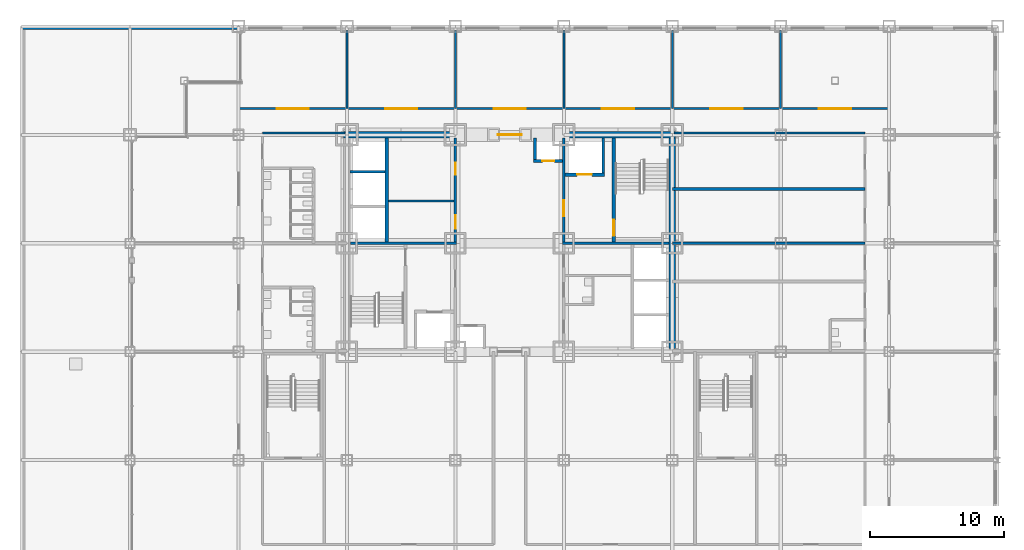
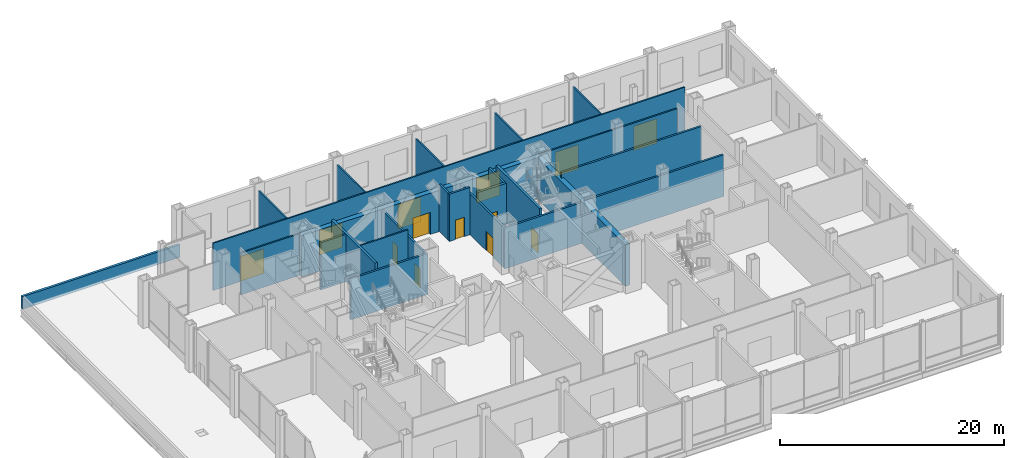
# One storey, part 21 of 26: 25 walls, 13 doors, 13 openings.
"""IFC4 building model written with IfcOpenShell, lengths in metres."""

from ifc_helpers import new_model, si_unit, direction, frame, frame_2d, origin, place, context, subcontext, project, spatial, rectangle, extrude, material, layer, layer_set, type_object, element, fill, save


model = new_model("IFC4")

# Units and contexts
model_context = context("Model", 3, precision=1e-05, world=origin(), true_north=direction((0.0, 1.0)))
body_context = subcontext(model_context, "Body", "Model", "MODEL_VIEW")
ifc_project = project(units=[si_unit("LENGTHUNIT", "METRE"), si_unit("AREAUNIT", "SQUARE_METRE"), si_unit("VOLUMEUNIT", "CUBIC_METRE"), si_unit("PLANEANGLEUNIT", "RADIAN"), si_unit("MASSUNIT", "GRAM", prefix="KILO")], contexts=[model_context])

# Site, building, storey
site_placement = place(None, origin())
site = spatial("IfcSite", under=ifc_project, at=site_placement, CompositionType="ELEMENT")
building_placement = place(site_placement, origin())
building = spatial("IfcBuilding", under=site, at=building_placement, Name="Kopane Lantern Tower", CompositionType="ELEMENT")
storey_placement = place(building_placement, frame((0.0, 0.0, 16.800048828125)))
storey = spatial("IfcBuildingStorey", under=building, at=storey_placement, Name="L03", CompositionType="ELEMENT", Elevation=16.800048828125)

# Wall, opening, door
ifc_material_1 = material(Name="Gypsum shaft wall EI 120", Category="gypsum")
ifc_layer_1 = layer(ifc_material_1, 0.5)
ifc_layer_set_1 = layer_set([ifc_layer_1], Name="CORE PERIMETER WALL 500 EI 120")
wall_type_1 = type_object("IfcWallType", Name="CORE PERIMETER WALL 500 EI 120", PredefinedType="SOLIDWALL", material=ifc_layer_set_1)
wall_1_placement = place(storey_placement, frame((15.949951171875, 40.5, 0.0), z_axis=(0.0, 0.0, 1.0), x_axis=(1.0, 0.0, 0.0)))
wall_1 = element("IfcWall", 1, at=wall_1_placement, inside=storey, type_object=wall_type_1, Name="Core shaft wall L03 PN", PredefinedType="SOLIDWALL", context=body_context, shape_type="SweptSolid", body=[
    extrude(rectangle(XDim=24.800048828125, YDim=0.5, at=frame_2d((12.39990234375, 0.0))), origin(), (0.0, 0.0, 1.0), 4.5),
])
opening_1_placement = place(wall_1_placement, frame((11.5, 0.0, 0.0)))
opening_1 = element("IfcOpeningElement", 2, at=opening_1_placement, cuts=wall_1, Name="Opening 03.CE-N", PredefinedType="OPENING", context=body_context, shape_type="SweptSolid", body=[
    extrude(rectangle(XDim=1.800048828125, YDim=2.39990234375, at=frame_2d((0.89990234375, 1.199951171875))), frame((0.0, 0.260009765625, 0.0), z_axis=(0.0, -1.0, 0.0), x_axis=(1.0, 0.0, 0.0)), (0.0, 0.0, 1.0), 0.52001953125),
])
ifc_material_2 = material(Name="Steel door set", Category="steel")
door_type_1 = type_object("IfcDoorType", Name="CORE ENTRY DOOR 1800x2400 FD60S", OperationType="DOUBLE_DOOR_SINGLE_SWING", PredefinedType="DOOR", material=ifc_material_2)
door_1_placement = place(opening_1_placement, origin())
door_1 = element("IfcDoor", 3, at=door_1_placement, inside=storey, type_object=door_type_1, Name="Core entry door L03 north", OperationType="DOUBLE_DOOR_SINGLE_SWING", OverallHeight=2.39990234375, OverallWidth=1.800048828125, PredefinedType="DOOR", context=body_context, shape_type="SweptSolid", body=[
    extrude(rectangle(XDim=1.800048828125, YDim=2.39990234375, at=frame_2d((0.89990234375, 1.199951171875))), frame((0.0, 0.02490234375, 0.0), z_axis=(0.0, -1.0, 0.0), x_axis=(1.0, 0.0, 0.0)), (0.0, 0.0, 1.0), 0.050048828125),
])
fill(opening_1, door_1)

# Walls
wall_2_placement = place(storey_placement, frame((40.5, 24.550048828125, 0.0), z_axis=(0.0, 0.0, 1.0), x_axis=(0.0, 1.0, 0.0)))
element("IfcWall", 4, at=wall_2_placement, inside=storey, type_object=wall_type_1, Name="Core shaft wall L03 PE", PredefinedType="SOLIDWALL", context=body_context, shape_type="SweptSolid", body=[
    extrude(rectangle(XDim=15.699951171875, YDim=0.5, at=frame_2d((7.85009765625, 0.0))), origin(), (0.0, 0.0, 1.0), 4.537841796875),
])
ifc_material_3 = material(Name="Gypsum partition EI 60", Category="gypsum")
ifc_layer_2 = layer(ifc_material_3, 0.14990234375)
ifc_layer_set_2 = layer_set([ifc_layer_2], Name="CORE ROOM PARTITION 150 EI 60")
wall_type_2 = type_object("IfcWallType", Name="CORE ROOM PARTITION 150 EI 60", PredefinedType="PARTITIONING", material=ifc_layer_set_2)
wall_3_placement = place(storey_placement, frame((19.300048828125, 35.574951171875, 0.0), z_axis=(0.0, 0.0, 1.0), x_axis=(1.0, 0.0, 0.0)))
element("IfcWall", 5, at=wall_3_placement, inside=storey, type_object=wall_type_2, Name="Core room partition L03 WL1", PredefinedType="PARTITIONING", context=body_context, shape_type="SweptSolid", body=[
    extrude(rectangle(XDim=4.89990234375, YDim=0.14990234375, at=frame_2d((2.449951171875, 0.0))), origin(), (0.0, 0.0, 1.0), 5.14990234375),
])

# Wall, openings, doors
ifc_material_4 = material(Name="Gypsum partition EI 60", Category="gypsum")
ifc_layer_3 = layer(ifc_material_4, 0.199951171875)
ifc_layer_set_3 = layer_set([ifc_layer_3], Name="CORE ROOM WALL 200 EI 60")
wall_type_3 = type_object("IfcWallType", Name="CORE ROOM WALL 200 EI 60", PredefinedType="PARTITIONING", material=ifc_layer_set_3)
wall_4_placement = place(storey_placement, frame((24.300048828125, 32.5, 0.0), z_axis=(0.0, 0.0, 1.0), x_axis=(0.0, 1.0, 0.0)))
wall_4 = element("IfcWall", 6, at=wall_4_placement, inside=storey, type_object=wall_type_3, Name="Core room wall L03 XW", PredefinedType="PARTITIONING", context=body_context, shape_type="SweptSolid", body=[
    extrude(rectangle(XDim=7.75, YDim=0.199951171875, at=frame_2d((3.875, 0.0))), origin(), (0.0, 0.0, 1.0), 4.449951171875),
])
opening_2_placement = place(wall_4_placement, frame((1.0, 0.0, 0.0)))
opening_2 = element("IfcOpeningElement", 7, at=opening_2_placement, cuts=wall_4, Name="Opening 03.C30", PredefinedType="OPENING", context=body_context, shape_type="SweptSolid", body=[
    extrude(rectangle(XDim=1.0, YDim=2.10009765625, at=frame_2d((0.5, 1.050048828125))), frame((0.0, 0.10986328125, 0.0), z_axis=(0.0, -1.0, 0.0), x_axis=(1.0, 0.0, 0.0)), (0.0, 0.0, 1.0), 0.219970703125),
])
opening_3_placement = place(wall_4_placement, frame((5.0, 0.0, 0.0)))
opening_3 = element("IfcOpeningElement", 8, at=opening_3_placement, cuts=wall_4, Name="Opening 03.C31", PredefinedType="OPENING", context=body_context, shape_type="SweptSolid", body=[
    extrude(rectangle(XDim=0.89990234375, YDim=2.10009765625, at=frame_2d((0.449951171875, 1.050048828125))), frame((0.0, 0.10986328125, 0.0), z_axis=(0.0, -1.0, 0.0), x_axis=(1.0, 0.0, 0.0)), (0.0, 0.0, 1.0), 0.219970703125),
])
ifc_material_5 = material(Name="Steel door set", Category="steel")
door_type_2 = type_object("IfcDoorType", Name="CORE ROOM DOOR 1000x2100 FD30S", OperationType="SINGLE_SWING_RIGHT", PredefinedType="DOOR", material=ifc_material_5)
door_2_placement = place(opening_2_placement, origin())
door_2 = element("IfcDoor", 9, at=door_2_placement, inside=storey, type_object=door_type_2, Name="Door Staff room L03", OperationType="SINGLE_SWING_LEFT", OverallHeight=2.10009765625, OverallWidth=1.0, PredefinedType="DOOR", context=body_context, shape_type="SweptSolid", body=[
    extrude(rectangle(XDim=1.0, YDim=2.10009765625, at=frame_2d((0.5, 1.050048828125))), frame((0.0, 0.02490234375, 0.0), z_axis=(0.0, -1.0, 0.0), x_axis=(1.0, 0.0, 0.0)), (0.0, 0.0, 1.0), 0.050048828125),
])
fill(opening_2, door_2)
ifc_material_6 = material(Name="Steel door set", Category="steel")
door_type_3 = type_object("IfcDoorType", Name="CORE ROOM DOOR 900x2100 FD60", OperationType="SINGLE_SWING_LEFT", PredefinedType="DOOR", material=ifc_material_6)
door_3_placement = place(opening_3_placement, origin())
door_3 = element("IfcDoor", 10, at=door_3_placement, inside=storey, type_object=door_type_3, Name="Door Retail store L03", OperationType="SINGLE_SWING_LEFT", OverallHeight=2.10009765625, OverallWidth=0.89990234375, PredefinedType="DOOR", context=body_context, shape_type="SweptSolid", body=[
    extrude(rectangle(XDim=0.89990234375, YDim=2.10009765625, at=frame_2d((0.449951171875, 1.050048828125))), frame((0.0, 0.02490234375, 0.0), z_axis=(0.0, -1.0, 0.0), x_axis=(1.0, 0.0, 0.0)), (0.0, 0.0, 1.0), 0.050048828125),
])
fill(opening_3, door_3)

# Wall
ifc_material_7 = material(Name="Gypsum shaft wall EI 120", Category="gypsum")
ifc_layer_4 = layer(ifc_material_7, 0.25)
ifc_layer_set_4 = layer_set([ifc_layer_4], Name="CORE SHAFT WALL 250 EI 120")
wall_type_4 = type_object("IfcWallType", Name="CORE SHAFT WALL 250 EI 120", PredefinedType="SOLIDWALL", material=ifc_layer_set_4)
wall_5_placement = place(storey_placement, frame((19.175048828125, 32.5, 0.0), z_axis=(0.0, 0.0, 1.0), x_axis=(0.0, 1.0, 0.0)))
element("IfcWall", 11, at=wall_5_placement, inside=storey, type_object=wall_type_4, Name="Core shaft wall L03 XLH", PredefinedType="SOLIDWALL", context=body_context, shape_type="SweptSolid", body=[
    extrude(rectangle(XDim=7.75, YDim=0.25, at=frame_2d((3.875, 0.0))), origin(), (0.0, 0.0, 1.0), 5.14990234375),
])

# Wall, opening, door
wall_6_placement = place(storey_placement, frame((36.125, 32.5, 0.0), z_axis=(0.0, 0.0, 1.0), x_axis=(0.0, 1.0, 0.0)))
wall_6 = element("IfcWall", 12, at=wall_6_placement, inside=storey, type_object=wall_type_4, Name="Core shaft wall L03 XST2", PredefinedType="SOLIDWALL", context=body_context, shape_type="SweptSolid", body=[
    extrude(rectangle(XDim=7.75, YDim=0.25, at=frame_2d((3.875, 0.0))), origin(), (0.0, 0.0, 1.0), 5.14990234375),
])
opening_4_placement = place(wall_6_placement, frame((0.449951171875, 0.0, 0.0)))
opening_4 = element("IfcOpeningElement", 13, at=opening_4_placement, cuts=wall_6, Name="Opening 03.SD2", PredefinedType="OPENING", context=body_context, shape_type="SweptSolid", body=[
    extrude(rectangle(XDim=1.199951171875, YDim=2.10009765625, at=frame_2d((0.60009765625, 1.050048828125))), frame((0.0, 0.135009765625, 0.0), z_axis=(0.0, -1.0, 0.0), x_axis=(1.0, 0.0, 0.0)), (0.0, 0.0, 1.0), 0.27001953125),
])
ifc_material_8 = material(Name="Steel door set", Category="steel")
door_type_4 = type_object("IfcDoorType", Name="STAIR DOOR 1200x2100 FD60S", OperationType="SINGLE_SWING_LEFT", PredefinedType="DOOR", material=ifc_material_8)
door_4_placement = place(opening_4_placement, origin())
door_4 = element("IfcDoor", 14, at=door_4_placement, inside=storey, type_object=door_type_4, Name="Stair door ST2 L03", OperationType="SINGLE_SWING_RIGHT", OverallHeight=2.10009765625, OverallWidth=1.199951171875, PredefinedType="DOOR", context=body_context, shape_type="SweptSolid", body=[
    extrude(rectangle(XDim=1.199951171875, YDim=2.10009765625, at=frame_2d((0.60009765625, 1.050048828125))), frame((0.0, 0.02490234375, 0.0), z_axis=(0.0, -1.0, 0.0), x_axis=(1.0, 0.0, 0.0)), (0.0, 0.0, 1.0), 0.050048828125),
])
fill(opening_4, door_4)

wall_7_placement = place(storey_placement, frame((32.5, 37.52490234375, 0.0), z_axis=(0.0, 0.0, 1.0), x_axis=(1.0, 0.0, 0.0)))
wall_7 = element("IfcWall", 15, at=wall_7_placement, inside=storey, type_object=wall_type_4, Name="Core shaft wall L03 YLF2", PredefinedType="SOLIDWALL", context=body_context, shape_type="SweptSolid", body=[
    extrude(rectangle(XDim=2.949951171875, YDim=0.25, at=frame_2d((1.47509765625, 0.0))), origin(), (0.0, 0.0, 1.0), 5.14990234375),
])
opening_5_placement = place(wall_7_placement, frame((0.89990234375, 0.0, 0.0)))
opening_5 = element("IfcOpeningElement", 16, at=opening_5_placement, cuts=wall_7, Name="Opening 03.LD-LF2", PredefinedType="OPENING", context=body_context, shape_type="SweptSolid", body=[
    extrude(rectangle(XDim=1.10009765625, YDim=2.39990234375, at=frame_2d((0.550048828125, 1.199951171875))), frame((0.0, 0.135009765625, 0.0), z_axis=(0.0, -1.0, 0.0), x_axis=(1.0, 0.0, 0.0)), (0.0, 0.0, 1.0), 0.27001953125),
])
ifc_material_9 = material(Name="Steel door set", Category="steel")
door_type_5 = type_object("IfcDoorType", Name="LIFT LANDING DOOR 1100x2400 FD60", OperationType="DOUBLE_DOOR_SLIDING", PredefinedType="DOOR", material=ifc_material_9)
door_5_placement = place(opening_5_placement, origin())
door_5 = element("IfcDoor", 17, at=door_5_placement, inside=storey, type_object=door_type_5, Name="Landing door LF2 L03", OperationType="DOUBLE_DOOR_SLIDING", OverallHeight=2.39990234375, OverallWidth=1.10009765625, PredefinedType="DOOR", context=body_context, shape_type="SweptSolid", body=[
    extrude(rectangle(XDim=1.10009765625, YDim=2.39990234375, at=frame_2d((0.550048828125, 1.199951171875))), frame((0.0, 0.02490234375, 0.0), z_axis=(0.0, -1.0, 0.0), x_axis=(1.0, 0.0, 0.0)), (0.0, 0.0, 1.0), 0.050048828125),
])
fill(opening_5, door_5)

# Wall, openings, doors
ifc_material_10 = material(Name="Gypsum board on steel studs", Category="steel")
ifc_layer_5 = layer(ifc_material_10, 0.14990234375)
ifc_layer_set_5 = layer_set([ifc_layer_5], Name="CORRIDOR WALL 150 EI 60")
wall_type_5 = type_object("IfcWallType", Name="CORRIDOR WALL 150 EI 60", PredefinedType="PARTITIONING", material=ifc_layer_set_5)
wall_8_placement = place(storey_placement, frame((8.10009765625, 42.449951171875, 0.0), z_axis=(0.0, 0.0, 1.0), x_axis=(1.0, 0.0, 0.0)))
wall_8 = element("IfcWall", 18, at=wall_8_placement, inside=storey, type_object=wall_type_5, Name="Corridor Wall 150 Ei 60 L03", PredefinedType="PARTITIONING", context=body_context, shape_type="SweptSolid", body=[
    extrude(rectangle(XDim=48.599853515625, YDim=0.14990234375, at=frame_2d((24.2998046875, 0.0))), origin(), (0.0, 0.0, 1.0), 5.14990234375),
])
opening_6_placement = place(wall_8_placement, frame((10.949951171875, 0.0, 0.0)))
opening_6 = element("IfcOpeningElement", 19, at=opening_6_placement, cuts=wall_8, Name="Opening L03-017", PredefinedType="OPENING", context=body_context, shape_type="SweptSolid", body=[
    extrude(rectangle(XDim=2.39990234375, YDim=2.699951171875, at=frame_2d((1.199951171875, 1.35009765625))), frame((0.0, 0.0849609375, 0.0), z_axis=(0.0, -1.0, 0.0), x_axis=(1.0, 0.0, 0.0)), (0.0, 0.0, 1.0), 0.169921875),
])
opening_7_placement = place(wall_8_placement, frame((19.050048828125, 0.0, 0.0)))
opening_7 = element("IfcOpeningElement", 20, at=opening_7_placement, cuts=wall_8, Name="Opening L03-018", PredefinedType="OPENING", context=body_context, shape_type="SweptSolid", body=[
    extrude(rectangle(XDim=2.39990234375, YDim=2.699951171875, at=frame_2d((1.199951171875, 1.35009765625))), frame((0.0, 0.0849609375, 0.0), z_axis=(0.0, -1.0, 0.0), x_axis=(1.0, 0.0, 0.0)), (0.0, 0.0, 1.0), 0.169921875),
])
opening_8_placement = place(wall_8_placement, frame((27.14990234375, 0.0, 0.0)))
opening_8 = element("IfcOpeningElement", 21, at=opening_8_placement, cuts=wall_8, Name="Opening L03-019", PredefinedType="OPENING", context=body_context, shape_type="SweptSolid", body=[
    extrude(rectangle(XDim=2.39990234375, YDim=2.699951171875, at=frame_2d((1.199951171875, 1.35009765625))), frame((0.0, 0.0849609375, 0.0), z_axis=(0.0, -1.0, 0.0), x_axis=(1.0, 0.0, 0.0)), (0.0, 0.0, 1.0), 0.169921875),
])
opening_9_placement = place(wall_8_placement, frame((35.25, 0.0, 0.0)))
opening_9 = element("IfcOpeningElement", 22, at=opening_9_placement, cuts=wall_8, Name="Opening L03-020", PredefinedType="OPENING", context=body_context, shape_type="SweptSolid", body=[
    extrude(rectangle(XDim=2.39990234375, YDim=2.699951171875, at=frame_2d((1.199951171875, 1.35009765625))), frame((0.0, 0.0849609375, 0.0), z_axis=(0.0, -1.0, 0.0), x_axis=(1.0, 0.0, 0.0)), (0.0, 0.0, 1.0), 0.169921875),
])
opening_10_placement = place(wall_8_placement, frame((43.35009765625, 0.0, 0.0)))
opening_10 = element("IfcOpeningElement", 23, at=opening_10_placement, cuts=wall_8, Name="Opening L03-030", PredefinedType="OPENING", context=body_context, shape_type="SweptSolid", body=[
    extrude(rectangle(XDim=2.39990234375, YDim=2.699951171875, at=frame_2d((1.199951171875, 1.35009765625))), frame((0.0, 0.0849609375, 0.0), z_axis=(0.0, -1.0, 0.0), x_axis=(1.0, 0.0, 0.0)), (0.0, 0.0, 1.0), 0.169921875),
])
opening_11_placement = place(wall_8_placement, frame((2.85009765625, 0.0, 0.0)))
opening_11 = element("IfcOpeningElement", 24, at=opening_11_placement, cuts=wall_8, Name="Opening L03-031", PredefinedType="OPENING", context=body_context, shape_type="SweptSolid", body=[
    extrude(rectangle(XDim=2.39990234375, YDim=2.699951171875, at=frame_2d((1.199951171875, 1.35009765625))), frame((0.0, 0.0849609375, 0.0), z_axis=(0.0, -1.0, 0.0), x_axis=(1.0, 0.0, 0.0)), (0.0, 0.0, 1.0), 0.169921875),
])
ifc_material_11 = material(Name="Timber door set", Category="wood")
door_type_6 = type_object("IfcDoorType", Name="DOOR D7 2400x2700 SHOPFRONT", OperationType="SINGLE_SWING_LEFT", PredefinedType="DOOR", material=ifc_material_11)
door_6_placement = place(opening_6_placement, origin())
door_6 = element("IfcDoor", 25, at=door_6_placement, inside=storey, type_object=door_type_6, Name="Door L03-017", OperationType="DOUBLE_DOOR_SINGLE_SWING", OverallHeight=2.699951171875, OverallWidth=2.39990234375, PredefinedType="DOOR", context=body_context, shape_type="SweptSolid", body=[
    extrude(rectangle(XDim=2.39990234375, YDim=2.699951171875, at=frame_2d((1.199951171875, 1.35009765625))), frame((0.0, 0.02490234375, 0.0), z_axis=(0.0, -1.0, 0.0), x_axis=(1.0, 0.0, 0.0)), (0.0, 0.0, 1.0), 0.050048828125),
])
fill(opening_6, door_6)
door_7_placement = place(opening_7_placement, origin())
door_7 = element("IfcDoor", 26, at=door_7_placement, inside=storey, type_object=door_type_6, Name="Door L03-018", OperationType="DOUBLE_DOOR_SINGLE_SWING", OverallHeight=2.699951171875, OverallWidth=2.39990234375, PredefinedType="DOOR", context=body_context, shape_type="SweptSolid", body=[
    extrude(rectangle(XDim=2.39990234375, YDim=2.699951171875, at=frame_2d((1.199951171875, 1.35009765625))), frame((0.0, 0.02490234375, 0.0), z_axis=(0.0, -1.0, 0.0), x_axis=(1.0, 0.0, 0.0)), (0.0, 0.0, 1.0), 0.050048828125),
])
fill(opening_7, door_7)
door_8_placement = place(opening_8_placement, origin())
door_8 = element("IfcDoor", 27, at=door_8_placement, inside=storey, type_object=door_type_6, Name="Door L03-019", OperationType="DOUBLE_DOOR_SINGLE_SWING", OverallHeight=2.699951171875, OverallWidth=2.39990234375, PredefinedType="DOOR", context=body_context, shape_type="SweptSolid", body=[
    extrude(rectangle(XDim=2.39990234375, YDim=2.699951171875, at=frame_2d((1.199951171875, 1.35009765625))), frame((0.0, 0.02490234375, 0.0), z_axis=(0.0, -1.0, 0.0), x_axis=(1.0, 0.0, 0.0)), (0.0, 0.0, 1.0), 0.050048828125),
])
fill(opening_8, door_8)
door_9_placement = place(opening_9_placement, origin())
door_9 = element("IfcDoor", 28, at=door_9_placement, inside=storey, type_object=door_type_6, Name="Door L03-020", OperationType="DOUBLE_DOOR_SINGLE_SWING", OverallHeight=2.699951171875, OverallWidth=2.39990234375, PredefinedType="DOOR", context=body_context, shape_type="SweptSolid", body=[
    extrude(rectangle(XDim=2.39990234375, YDim=2.699951171875, at=frame_2d((1.199951171875, 1.35009765625))), frame((0.0, 0.02490234375, 0.0), z_axis=(0.0, -1.0, 0.0), x_axis=(1.0, 0.0, 0.0)), (0.0, 0.0, 1.0), 0.050048828125),
])
fill(opening_9, door_9)
door_10_placement = place(opening_10_placement, origin())
door_10 = element("IfcDoor", 29, at=door_10_placement, inside=storey, type_object=door_type_6, Name="Door L03-030", OperationType="DOUBLE_DOOR_SINGLE_SWING", OverallHeight=2.699951171875, OverallWidth=2.39990234375, PredefinedType="DOOR", context=body_context, shape_type="SweptSolid", body=[
    extrude(rectangle(XDim=2.39990234375, YDim=2.699951171875, at=frame_2d((1.199951171875, 1.35009765625))), frame((0.0, 0.02490234375, 0.0), z_axis=(0.0, -1.0, 0.0), x_axis=(1.0, 0.0, 0.0)), (0.0, 0.0, 1.0), 0.050048828125),
])
fill(opening_10, door_10)
door_11_placement = place(opening_11_placement, origin())
door_11 = element("IfcDoor", 30, at=door_11_placement, inside=storey, type_object=door_type_6, Name="Door L03-031", OperationType="DOUBLE_DOOR_SINGLE_SWING", OverallHeight=2.699951171875, OverallWidth=2.39990234375, PredefinedType="DOOR", context=body_context, shape_type="SweptSolid", body=[
    extrude(rectangle(XDim=2.39990234375, YDim=2.699951171875, at=frame_2d((1.199951171875, 1.35009765625))), frame((0.0, 0.02490234375, 0.0), z_axis=(0.0, -1.0, 0.0), x_axis=(1.0, 0.0, 0.0)), (0.0, 0.0, 1.0), 0.050048828125),
])
fill(opening_11, door_11)

# Walls
wall_9_placement = place(storey_placement, frame((54.89990234375, 40.64990234375, 0.0), z_axis=(0.0, 0.0, 1.0), x_axis=(-1.0, 0.0, 0.0)))
element("IfcWall", 31, at=wall_9_placement, inside=storey, type_object=wall_type_5, Name="Corridor Wall 150 Ei 60 L03", PredefinedType="PARTITIONING", context=body_context, shape_type="SweptSolid", body=[
    extrude(rectangle(XDim=14.267822265625, YDim=0.14990234375, at=frame_2d((7.1337890625, 0.0))), origin(), (0.0, 0.0, 1.0), 4.537841796875),
])
wall_10_placement = place(storey_placement, frame((16.068115234375, 40.64990234375, 0.0), z_axis=(0.0, 0.0, 1.0), x_axis=(-1.0, 0.0, 0.0)))
element("IfcWall", 32, at=wall_10_placement, inside=storey, type_object=wall_type_5, Name="Corridor Wall 150 Ei 60 L03", PredefinedType="PARTITIONING", context=body_context, shape_type="SweptSolid", body=[
    extrude(rectangle(XDim=6.168212890625, YDim=0.14990234375, at=frame_2d((3.083984375, 0.0))), origin(), (0.0, 0.0, 1.0), 4.537841796875),
])
ifc_material_12 = material(Name="Gypsum board on steel studs", Category="steel")
ifc_layer_6 = layer(ifc_material_12, 0.14990234375)
ifc_layer_set_6 = layer_set([ifc_layer_6], Name="DEMISING WALL 150 EI 60")
wall_type_6 = type_object("IfcWallType", Name="DEMISING WALL 150 EI 60", PredefinedType="PARTITIONING", material=ifc_layer_set_6)
for number, where, z_axis, x_axis, name in (
    (33, (24.300048828125, 42.449951171875, 0.0), (0.0, 0.0, 1.0), (0.0, 1.0, 0.0), "Demising Wall 150 Ei 60 L03"),
    (34, (32.39990234375, 42.449951171875, 0.0), (0.0, 0.0, 1.0), (0.0, 1.0, 0.0), "Demising Wall 150 Ei 60 L03"),
    (35, (40.5, 42.449951171875, 0.0), (0.0, 0.0, 1.0), (0.0, 1.0, 0.0), "Demising Wall 150 Ei 60 L03"),
    (36, (48.60009765625, 42.449951171875, 0.0), (0.0, 0.0, 1.0), (0.0, 1.0, 0.0), "Demising Wall 150 Ei 60 L03"),
    (37, (16.199951171875, 42.449951171875, 0.0), (0.0, 0.0, 1.0), (0.0, 1.0, 0.0), "Demising Wall 150 Ei 60 L03"),
):
    element("IfcWall", number, at=place(storey_placement, frame(where, z_axis=z_axis, x_axis=x_axis)), inside=storey, type_object=wall_type_6, Name=name, PredefinedType="PARTITIONING", context=body_context, shape_type="SweptSolid", body=[
        extrude(rectangle(XDim=5.85009765625, YDim=0.14990234375, at=frame_2d((2.925048828125, 0.0))), origin(), (0.0, 0.0, 1.0), 4.537841796875),
    ])
ifc_material_13 = material(Name="Terracotta rainscreen on light steel framing", Category="masonry")
ifc_layer_7 = layer(ifc_material_13, 0.25)
ifc_layer_set_7 = layer_set([ifc_layer_7], Name="PARAPET PW1 250 TERRACOTTA")
wall_type_7 = type_object("IfcWallType", Name="PARAPET PW1 250 TERRACOTTA", PredefinedType="PARAPET", material=ifc_layer_set_7)
wall_11_placement = place(storey_placement, frame((8.10009765625, 48.47509765625, 0.0), z_axis=(0.0, 0.0, 1.0), x_axis=(-1.0, 0.0, 0.0)))
element("IfcWall", 38, at=wall_11_placement, inside=storey, type_object=wall_type_7, Name="Parapet L03", PredefinedType="PARAPET", context=body_context, shape_type="SweptSolid", body=[
    extrude(rectangle(XDim=16.2001953125, YDim=0.25, at=frame_2d((8.10009765625, 0.0))), origin(), (0.0, 0.0, 1.0), 1.3798828125),
])
ifc_material_14 = material(Name="Concrete masonry", Category="masonry")
ifc_layer_8 = layer(ifc_material_14, 0.199951171875)
ifc_layer_set_8 = layer_set([ifc_layer_8], Name="PLANT ROOM WALL 200 EI 120")
wall_type_8 = type_object("IfcWallType", Name="PLANT ROOM WALL 200 EI 120", PredefinedType="SOLIDWALL", material=ifc_layer_set_8)
wall_12_placement = place(storey_placement, frame((40.5, 32.39990234375, 0.0), z_axis=(0.0, 0.0, 1.0), x_axis=(1.0, 0.0, 0.0)))
element("IfcWall", 39, at=wall_12_placement, inside=storey, type_object=wall_type_8, Name="Plant Room Wall 200 Ei 120 L03", PredefinedType="SOLIDWALL", context=body_context, shape_type="SweptSolid", body=[
    extrude(rectangle(XDim=14.39990234375, YDim=0.199951171875, at=frame_2d((7.199951171875, 0.0))), origin(), (0.0, 0.0, 1.0), 4.537841796875),
])
wall_13_placement = place(storey_placement, frame((54.89990234375, 36.449951171875, 0.0), z_axis=(0.0, 0.0, 1.0), x_axis=(-1.0, 0.0, 0.0)))
element("IfcWall", 40, at=wall_13_placement, inside=storey, type_object=wall_type_8, Name="Plant Room Wall 200 Ei 120 L03", PredefinedType="SOLIDWALL", context=body_context, shape_type="SweptSolid", body=[
    extrude(rectangle(XDim=14.39990234375, YDim=0.199951171875, at=frame_2d((7.199951171875, 0.0))), origin(), (0.0, 0.0, 1.0), 5.14990234375),
])
ifc_material_15 = material(Name="Gypsum shaft wall EI 120", Category="gypsum")
ifc_layer_9 = layer(ifc_material_15, 0.199951171875)
ifc_layer_set_9 = layer_set([ifc_layer_9], Name="SHAFT WALL 200 EI 120")
wall_type_9 = type_object("IfcWallType", Name="SHAFT WALL 200 EI 120", PredefinedType="SOLIDWALL", material=ifc_layer_set_9)
wall_14_placement = place(storey_placement, frame((16.449951171875, 32.39990234375, 0.0), z_axis=(0.0, 0.0, 1.0), x_axis=(1.0, 0.0, 0.0)))
element("IfcWall", 41, at=wall_14_placement, inside=storey, type_object=wall_type_9, Name="Core shaft wall L03 Y324W", PredefinedType="SOLIDWALL", context=body_context, shape_type="SweptSolid", body=[
    extrude(rectangle(XDim=7.949951171875, YDim=0.199951171875, at=frame_2d((3.97509765625, 0.0))), origin(), (0.0, 0.0, 1.0), 4.449951171875),
])
wall_15_placement = place(storey_placement, frame((16.449951171875, 37.75, 0.0), z_axis=(0.0, 0.0, 1.0), x_axis=(1.0, 0.0, 0.0)))
element("IfcWall", 42, at=wall_15_placement, inside=storey, type_object=wall_type_9, Name="Core shaft wall L03 YLH23", PredefinedType="SOLIDWALL", context=body_context, shape_type="SweptSolid", body=[
    extrude(rectangle(XDim=2.60009765625, YDim=0.199951171875, at=frame_2d((1.300048828125, 0.0))), origin(), (0.0, 0.0, 1.0), 5.14990234375),
])
wall_16_placement = place(storey_placement, frame((32.300048828125, 32.39990234375, 0.0), z_axis=(0.0, 0.0, 1.0), x_axis=(1.0, 0.0, 0.0)))
element("IfcWall", 43, at=wall_16_placement, inside=storey, type_object=wall_type_9, Name="Core shaft wall L03 Y324E", PredefinedType="SOLIDWALL", context=body_context, shape_type="SweptSolid", body=[
    extrude(rectangle(XDim=7.949951171875, YDim=0.199951171875, at=frame_2d((3.97509765625, 0.0))), origin(), (0.0, 0.0, 1.0), 4.449951171875),
])

# Wall, opening, door
wall_17_placement = place(storey_placement, frame((32.39990234375, 32.5, 0.0), z_axis=(0.0, 0.0, 1.0), x_axis=(0.0, 1.0, 0.0)))
wall_17 = element("IfcWall", 44, at=wall_17_placement, inside=storey, type_object=wall_type_9, Name="Core shaft wall L03 X324", PredefinedType="SOLIDWALL", context=body_context, shape_type="SweptSolid", body=[
    extrude(rectangle(XDim=7.75, YDim=0.199951171875, at=frame_2d((3.875, 0.0))), origin(), (0.0, 0.0, 1.0), 4.449951171875),
])
opening_12_placement = place(wall_17_placement, frame((1.89990234375, 0.0, 0.0)))
opening_12 = element("IfcOpeningElement", 45, at=opening_12_placement, cuts=wall_17, Name="Opening 03.FL2", PredefinedType="OPENING", context=body_context, shape_type="SweptSolid", body=[
    extrude(rectangle(XDim=1.199951171875, YDim=2.10009765625, at=frame_2d((0.60009765625, 1.050048828125))), frame((0.0, 0.10986328125, 0.0), z_axis=(0.0, -1.0, 0.0), x_axis=(1.0, 0.0, 0.0)), (0.0, 0.0, 1.0), 0.219970703125),
])
ifc_material_16 = material(Name="Steel door set", Category="steel")
door_type_7 = type_object("IfcDoorType", Name="FIREFIGHTING LOBBY DOOR 1200x2100 FD60S", OperationType="SINGLE_SWING_RIGHT", PredefinedType="DOOR", material=ifc_material_16)
door_12_placement = place(opening_12_placement, origin())
door_12 = element("IfcDoor", 46, at=door_12_placement, inside=storey, type_object=door_type_7, Name="Firefighting lobby door FL2 L03", OperationType="SINGLE_SWING_LEFT", OverallHeight=2.10009765625, OverallWidth=1.199951171875, PredefinedType="DOOR", context=body_context, shape_type="SweptSolid", body=[
    extrude(rectangle(XDim=1.199951171875, YDim=2.10009765625, at=frame_2d((0.60009765625, 1.050048828125))), frame((0.0, 0.02490234375, 0.0), z_axis=(0.0, -1.0, 0.0), x_axis=(1.0, 0.0, 0.0)), (0.0, 0.0, 1.0), 0.050048828125),
])
fill(opening_12, door_12)

# Walls
wall_18_placement = place(storey_placement, frame((35.35009765625, 37.64990234375, 0.0), z_axis=(0.0, 0.0, 1.0), x_axis=(0.0, 1.0, 0.0)))
element("IfcWall", 47, at=wall_18_placement, inside=storey, type_object=wall_type_9, Name="Core shaft wall L03 XLF2", PredefinedType="SOLIDWALL", context=body_context, shape_type="SweptSolid", body=[
    extrude(rectangle(XDim=2.60009765625, YDim=0.199951171875, at=frame_2d((1.300048828125, 0.0))), origin(), (0.0, 0.0, 1.0), 5.14990234375),
])
wall_19_placement = place(storey_placement, frame((30.25, 38.64990234375, 0.0), z_axis=(0.0, 0.0, 1.0), x_axis=(0.0, 1.0, 0.0)))
element("IfcWall", 48, at=wall_19_placement, inside=storey, type_object=wall_type_9, Name="Core shaft wall L03 XRS2", PredefinedType="SOLIDWALL", context=body_context, shape_type="SweptSolid", body=[
    extrude(rectangle(XDim=1.60009765625, YDim=0.199951171875, at=frame_2d((0.800048828125, 0.0))), origin(), (0.0, 0.0, 1.0), 5.14990234375),
])

# Wall, opening, door
wall_20_placement = place(storey_placement, frame((30.14990234375, 38.550048828125, 0.0), z_axis=(0.0, 0.0, 1.0), x_axis=(1.0, 0.0, 0.0)))
wall_20 = element("IfcWall", 49, at=wall_20_placement, inside=storey, type_object=wall_type_9, Name="Core shaft wall L03 YRS2", PredefinedType="SOLIDWALL", context=body_context, shape_type="SweptSolid", body=[
    extrude(rectangle(XDim=2.150146484375, YDim=0.199951171875, at=frame_2d((1.0751953125, 0.0))), origin(), (0.0, 0.0, 1.0), 5.14990234375),
])
opening_13_placement = place(wall_20_placement, frame((0.64990234375, 0.0, 0.0)))
opening_13 = element("IfcOpeningElement", 50, at=opening_13_placement, cuts=wall_20, Name="Opening 03.RS2", PredefinedType="OPENING", context=body_context, shape_type="SweptSolid", body=[
    extrude(rectangle(XDim=0.89990234375, YDim=2.10009765625, at=frame_2d((0.449951171875, 1.050048828125))), frame((0.0, 0.10986328125, 0.0), z_axis=(0.0, -1.0, 0.0), x_axis=(1.0, 0.0, 0.0)), (0.0, 0.0, 1.0), 0.219970703125),
])
ifc_material_17 = material(Name="Steel door set", Category="steel")
door_type_8 = type_object("IfcDoorType", Name="RISER ACCESS DOOR 900x2100 FD60", OperationType="SINGLE_SWING_LEFT", PredefinedType="DOOR", material=ifc_material_17)
door_13_placement = place(opening_13_placement, origin())
door_13 = element("IfcDoor", 51, at=door_13_placement, inside=storey, type_object=door_type_8, Name="Riser access door RS2 L03", OperationType="SINGLE_SWING_LEFT", OverallHeight=2.10009765625, OverallWidth=0.89990234375, PredefinedType="DOOR", context=body_context, shape_type="SweptSolid", body=[
    extrude(rectangle(XDim=0.89990234375, YDim=2.10009765625, at=frame_2d((0.449951171875, 1.050048828125))), frame((0.0, 0.02490234375, 0.0), z_axis=(0.0, -1.0, 0.0), x_axis=(1.0, 0.0, 0.0)), (0.0, 0.0, 1.0), 0.050048828125),
])
fill(opening_13, door_13)

save(model, "model.ifc")
